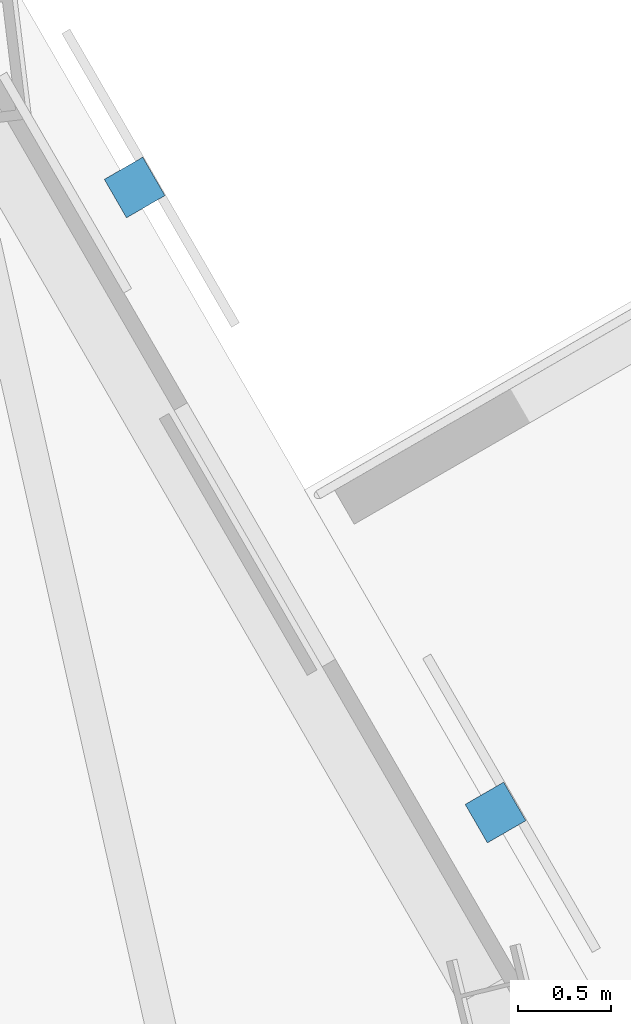
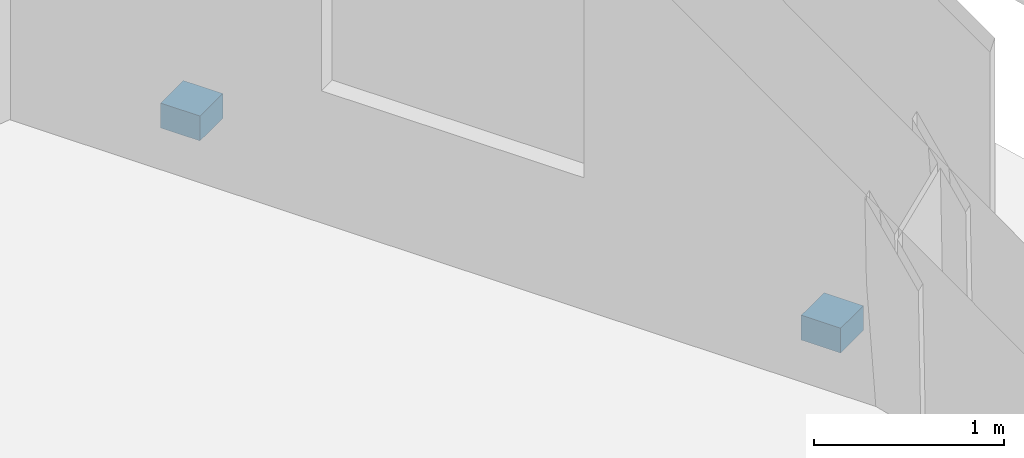
# One storey, part 6 of 9: 2 discrete accessories.
"""IFC4 building model written with IfcOpenShell, lengths in metres."""

from ifc_helpers import new_model, si_unit, direction, frame, origin, origin_2d, place, context, subcontext, project, spatial, rectangle, extrude, element, save


model = new_model("IFC4")

# Units and contexts
model_context = context("Model", 3, precision=1e-05, world=origin(), true_north=direction((0.0, 1.0)))
body_context = subcontext(model_context, "Body", "Model", "MODEL_VIEW")
ifc_project = project(units=[si_unit("LENGTHUNIT", "METRE"), si_unit("AREAUNIT", "SQUARE_METRE"), si_unit("VOLUMEUNIT", "CUBIC_METRE"), si_unit("PLANEANGLEUNIT", "RADIAN"), si_unit("MASSUNIT", "GRAM", prefix="KILO")], contexts=[model_context])

# Site, building, storey
site_placement = place(None, origin())
site = spatial("IfcSite", under=ifc_project, at=site_placement, CompositionType="ELEMENT")
building_placement = place(site_placement, origin())
building = spatial("IfcBuilding", under=site, at=building_placement, Name="Oramaril Tower", CompositionType="ELEMENT")
storey_placement = place(building_placement, frame((0.0, 0.0, 185.39990234375)))
storey = spatial("IfcBuildingStorey", under=building, at=storey_placement, Name="L49", CompositionType="ELEMENT", Elevation=185.39990234375)

# Discrete accessories
for number, where, z_axis, x_axis, name in (
    (1, (44.357177734375, 39.18212890625, -0.1396484375), (0.0, 0.0, 1.0), (-0.5, 0.866025403784, 0.0), "L49 Solar Screen Slab Bracket"),
    (2, (42.4072265625, 42.5595703125, -0.1396484375), (0.0, 0.0, 1.0), (-0.5, 0.866025403784, 0.0), "L49 Solar Screen Slab Bracket"),
):
    element("IfcDiscreteAccessory", number, at=place(storey_placement, frame(where, z_axis=z_axis, x_axis=x_axis)), inside=storey, Name=name, PredefinedType="BRACKET", context=body_context, shape_type="SweptSolid", body=[
        extrude(rectangle(XDim=0.239990234375, YDim=0.239990234375, at=origin_2d()), origin(), (0.0, 0.0, 1.0), 0.159912109375),
    ])

save(model, "model.ifc")
